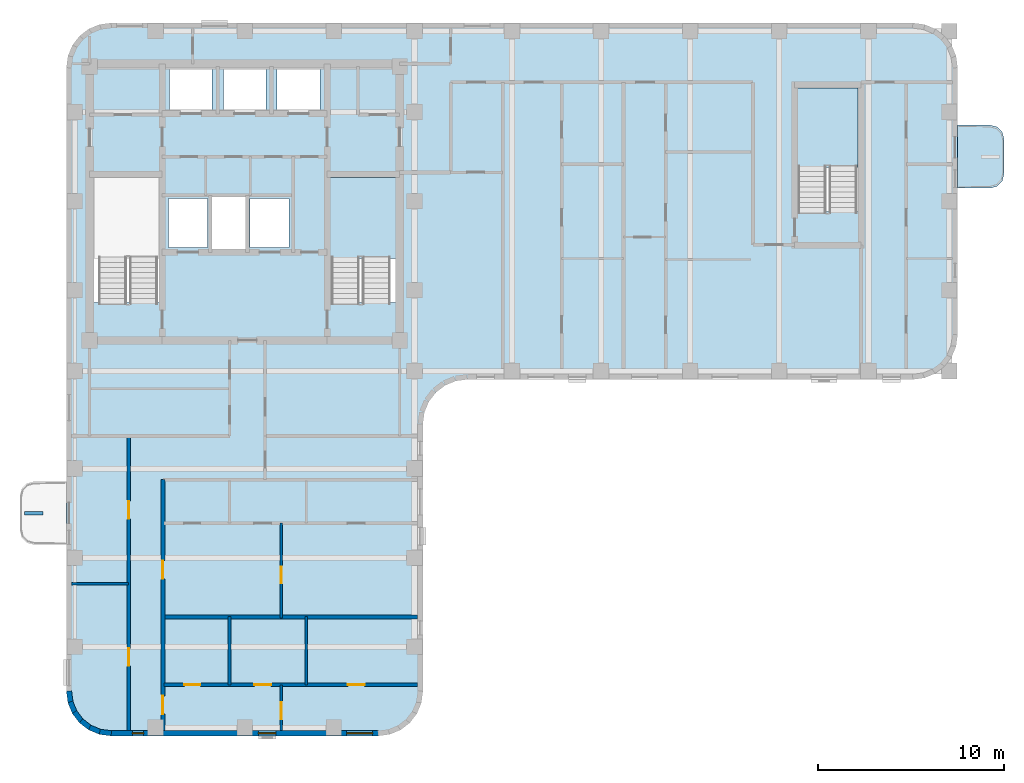
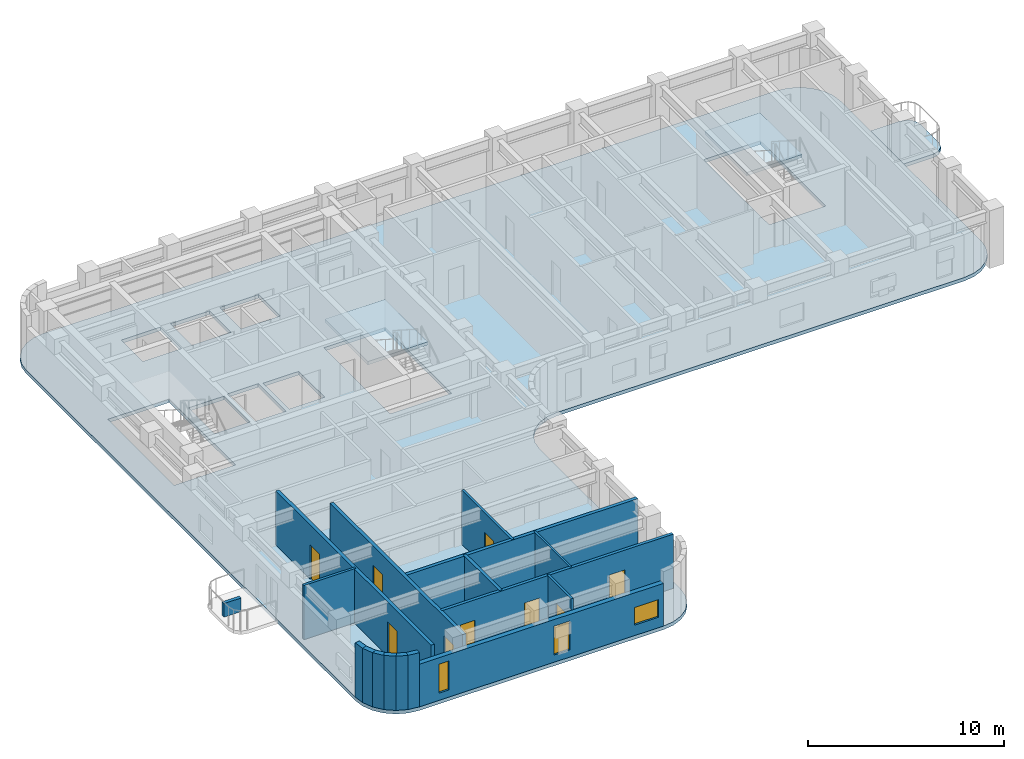
# One storey, part 2 of 10: 17 walls, 9 doors, 4 slabs, 3 windows, 12 openings, 2 elements without a shape of their own.
"""IFC4 building model written with IfcOpenShell, lengths in metres."""

from ifc_helpers import new_model, si_unit, direction, frame, frame_2d, origin, place, context, subcontext, project, spatial, polyline, rectangle, outline, extrude, material, layer, layer_set, type_object, element, fill, aggregate, save


model = new_model("IFC4")

# Units and contexts
model_context = context("Model", 3, precision=1e-05, world=origin(), true_north=direction((0.0, 1.0)))
body_context = subcontext(model_context, "Body", "Model", "MODEL_VIEW")
ifc_project = project(units=[si_unit("LENGTHUNIT", "METRE"), si_unit("AREAUNIT", "SQUARE_METRE"), si_unit("VOLUMEUNIT", "CUBIC_METRE"), si_unit("PLANEANGLEUNIT", "RADIAN"), si_unit("MASSUNIT", "GRAM", prefix="KILO")], contexts=[model_context])

# Site, building, storey
site_placement = place(None, origin())
site = spatial("IfcSite", under=ifc_project, at=site_placement, CompositionType="ELEMENT")
building_placement = place(site_placement, origin())
building = spatial("IfcBuilding", under=site, at=building_placement, Name="Orvandelia Arch Residences", CompositionType="ELEMENT")
storey_placement = place(building_placement, frame((0.0, 0.0, 207.39990234375)))
storey = spatial("IfcBuildingStorey", under=building, at=storey_placement, Name="L54", CompositionType="ELEMENT", Elevation=207.39990234375)

# Slab
ifc_material_1 = material(Name="Precast concrete C40/50", Category="concrete")
ifc_layer_1 = layer(ifc_material_1, 0.219970703125, Name="Precast concrete C40/50", Category="concrete")
ifc_layer_set_1 = layer_set([ifc_layer_1], Name="Precast concrete C40/50")
slab_type_1 = type_object("IfcSlabType", Name="SLB-BAL-220", PredefinedType="USERDEFINED", material=ifc_layer_set_1)
slab_1_placement = place(storey_placement, frame((0.0, 0.0, -0.219970703125)))
element("IfcSlab", 1, at=slab_1_placement, inside=storey, type_object=slab_type_1, Name="Tree Balcony Cantilever Slab BAL-L54-E1", ObjectType="BALCONY", PredefinedType="USERDEFINED", context=body_context, shape_type="SweptSolid", body=[
    extrude(outline(polyline([(52.800048828125, 42.5), (52.800048828125, 39.10009765625), (54.550048828125, 39.10009765625), (54.925048828125, 39.200439453125), (55.199462890625, 39.47509765625), (55.300048828125, 39.85009765625), (55.300048828125, 41.75), (55.199462890625, 42.125), (54.925048828125, 42.3994140625), (54.550048828125, 42.5), (52.800048828125, 42.5)])), origin(), (0.0, 0.0, 1.0), 0.219970703125),
])

# Stair, slab
ifc_material_2 = material(Name="Concrete C40/50", Category="concrete")
stair_type = type_object("IfcStairType", Name="STAIR-RC-DOGLEG", PredefinedType="HALF_TURN_STAIR", material=ifc_material_2)
stair_1_placement = place(storey_placement, origin())
stair_1 = element("IfcStair", 2, at=stair_1_placement, inside=storey, type_object=stair_type, Name="L54 Protected Exit Stair ST-2", PredefinedType="HALF_TURN_STAIR")
ifc_layer_2 = layer(ifc_material_2, 0.219970703125, Name="Concrete C40/50", Category="concrete")
ifc_layer_set_2 = layer_set([ifc_layer_2], Name="Concrete C40/50")
slab_type_2 = type_object("IfcSlabType", Name="SLB-LANDING-220", PredefinedType="LANDING", material=ifc_layer_set_2)
slab_2_placement = place(storey_placement, frame((0.0, 0.0, 1.60009765625)))
slab_2 = element("IfcSlab", 3, at=slab_2_placement, type_object=slab_type_2, Name="ST-2 landing 1", PredefinedType="LANDING", context=body_context, shape_type="SweptSolid", body=[
    extrude(outline(polyline([(22.5400390625, 35.31005859375), (22.5400390625, 39.68994140625), (19.0, 39.68994140625), (19.0, 35.31005859375), (22.5400390625, 35.31005859375)])), origin(), (0.0, 0.0, 1.0), 0.199951171875),
])
aggregate(stair_1, [slab_2])

stair_2_placement = place(storey_placement, origin())
stair_2 = element("IfcStair", 4, at=stair_2_placement, inside=storey, type_object=stair_type, Name="L54 East Wing Exit Stair ST-3", PredefinedType="HALF_TURN_STAIR")
slab_3_placement = place(storey_placement, frame((0.0, 0.0, 1.60009765625)))
slab_3 = element("IfcSlab", 5, at=slab_3_placement, type_object=slab_type_2, Name="ST-3 landing 1", PredefinedType="LANDING", context=body_context, shape_type="SweptSolid", body=[
    extrude(outline(polyline([(47.43994140625, 40.2099609375), (47.43994140625, 44.5), (44.179931640625, 44.5), (44.179931640625, 40.2099609375), (47.43994140625, 40.2099609375)])), origin(), (0.0, 0.0, 1.0), 0.199951171875),
])
aggregate(stair_2, [slab_3])

# Slab
ifc_layer_3 = layer(ifc_material_2, 0.219970703125, Name="Concrete C40/50", Category="concrete")
ifc_layer_set_3 = layer_set([ifc_layer_3], Name="Concrete C40/50")
slab_type_3 = type_object("IfcSlabType", Name="SLB-TWR-220", PredefinedType="FLOOR", material=ifc_layer_set_3)
slab_4_placement = place(storey_placement, frame((0.0, 0.0, -0.219970703125)))
element("IfcSlab", 6, at=slab_4_placement, inside=storey, type_object=slab_type_3, Name="Structural Floor Slab L54-1", PredefinedType="FLOOR", context=body_context, shape_type="SweptSolid", body=[
    extrude(outline(polyline([(4.800048828125, 12.0), (4.8818359375, 11.37890625), (5.12158203125, 10.800048828125), (5.5029296875, 10.302978515625), (6.0, 9.92138671875), (6.578857421875, 9.681884765625), (7.199951171875, 9.60009765625), (21.60009765625, 9.60009765625), (22.22119140625, 9.681884765625), (22.800048828125, 9.92138671875), (23.297119140625, 10.302978515625), (23.678466796875, 10.800048828125), (23.918212890625, 11.37890625), (24.0, 12.0), (24.0, 26.39990234375), (24.081787109375, 27.021240234375), (24.321533203125, 27.60009765625), (24.702880859375, 28.09716796875), (25.199951171875, 28.478515625), (25.77880859375, 28.71826171875), (26.39990234375, 28.800048828125), (50.39990234375, 28.800048828125), (51.021240234375, 28.8818359375), (51.60009765625, 29.12158203125), (52.09716796875, 29.5029296875), (52.478515625, 30.0), (52.71826171875, 30.578857421875), (52.800048828125, 31.199951171875), (52.800048828125, 45.60009765625), (52.71826171875, 46.22119140625), (52.478515625, 46.800048828125), (52.09716796875, 47.297119140625), (51.60009765625, 47.678466796875), (51.021240234375, 47.918212890625), (50.39990234375, 48.0), (7.199951171875, 48.0), (6.578857421875, 47.918212890625), (6.0, 47.678466796875), (5.5029296875, 47.297119140625), (5.12158203125, 46.800048828125), (4.8818359375, 46.22119140625), (4.800048828125, 45.60009765625), (4.800048828125, 12.0)]), holes=[polyline([(6.219970703125, 32.949951171875), (9.840087890625, 32.949951171875), (9.840087890625, 39.72998046875), (6.219970703125, 39.72998046875), (6.219970703125, 32.949951171875)]), polyline([(18.9599609375, 32.949951171875), (22.580078125, 32.949951171875), (22.580078125, 39.72998046875), (18.9599609375, 39.72998046875), (18.9599609375, 32.949951171875)]), polyline([(44.139892578125, 37.85009765625), (47.47998046875, 37.85009765625), (47.47998046875, 44.5400390625), (44.139892578125, 44.5400390625), (44.139892578125, 37.85009765625)]), polyline([(12.639892578125, 35.81005859375), (14.4599609375, 35.81005859375), (14.4599609375, 38.639892578125), (12.639892578125, 38.639892578125), (12.639892578125, 35.81005859375)]), polyline([(10.300048828125, 35.89990234375), (12.39990234375, 35.89990234375), (12.39990234375, 38.550048828125), (10.300048828125, 38.550048828125), (10.300048828125, 35.89990234375)]), polyline([(14.699951171875, 35.89990234375), (16.800048828125, 35.89990234375), (16.800048828125, 38.550048828125), (14.699951171875, 38.550048828125), (14.699951171875, 35.89990234375)]), polyline([(10.35009765625, 43.300048828125), (12.64990234375, 43.300048828125), (12.64990234375, 45.5), (10.35009765625, 45.5), (10.35009765625, 43.300048828125)]), polyline([(13.25, 43.300048828125), (15.550048828125, 43.300048828125), (15.550048828125, 45.5), (13.25, 45.5), (13.25, 43.300048828125)]), polyline([(16.14990234375, 43.300048828125), (18.449951171875, 43.300048828125), (18.449951171875, 45.5), (16.14990234375, 45.5), (16.14990234375, 43.300048828125)])]), origin(), (0.0, 0.0, 1.0), 0.219970703125),
])

# Wall, openings, doors
ifc_material_3 = material(Name="Fire-Rated Corridor Partition")
ifc_layer_4 = layer(ifc_material_3, 0.199951171875, Name="Fire-Rated Corridor Partition")
ifc_layer_set_4 = layer_set([ifc_layer_4], Name="Fire-Rated Corridor Partition")
wall_type_1 = type_object("IfcWallType", Name="WL-CORR-200", PredefinedType="PARTITIONING", material=ifc_layer_set_4)
wall_1_placement = place(storey_placement, frame((8.14990234375, 9.8798828125, 0.0), z_axis=(0.0, 0.0, 1.0), x_axis=(0.0, 1.0, 0.0)))
wall_1 = element("IfcWall", 7, at=wall_1_placement, inside=storey, type_object=wall_type_1, Name="Interior Partition Wall WL-L54-WC-W", PredefinedType="PARTITIONING", context=body_context, shape_type="SweptSolid", body=[
    extrude(rectangle(XDim=15.8701171875, YDim=0.199951171875, at=frame_2d((7.93505859375, 0.0))), origin(), (0.0, 0.0, 1.0), 3.380126953125),
])
opening_1_placement = place(wall_1_placement, frame((3.489990234375, 0.0, 0.0)))
opening_1 = element("IfcOpeningElement", 8, at=opening_1_placement, cuts=wall_1, Name="Opening D2", PredefinedType="OPENING", context=body_context, shape_type="SweptSolid", body=[
    extrude(rectangle(XDim=0.949951171875, YDim=2.14990234375, at=frame_2d((0.47509765625, 1.074951171875))), frame((0.0, 0.10986328125, 0.0), z_axis=(0.0, -1.0, 0.0), x_axis=(1.0, 0.0, 0.0)), (0.0, 0.0, 1.0), 0.219970703125),
])
opening_2_placement = place(wall_1_placement, frame((11.409912109375, 0.0, 0.0)))
opening_2 = element("IfcOpeningElement", 9, at=opening_2_placement, cuts=wall_1, Name="Opening D2", PredefinedType="OPENING", context=body_context, shape_type="SweptSolid", body=[
    extrude(rectangle(XDim=0.949951171875, YDim=2.14990234375, at=frame_2d((0.47509765625, 1.074951171875))), frame((0.0, 0.10986328125, 0.0), z_axis=(0.0, -1.0, 0.0), x_axis=(1.0, 0.0, 0.0)), (0.0, 0.0, 1.0), 0.219970703125),
])
ifc_material_4 = material(Name="Solid-Core Timber Interior Fire Door", Category="wood")
door_type_1 = type_object("IfcDoorType", Name="DR-APT-950", OperationType="NOTDEFINED", PredefinedType="DOOR", material=ifc_material_4)
door_1_placement = place(opening_1_placement, origin())
door_1 = element("IfcDoor", 10, at=door_1_placement, inside=storey, type_object=door_type_1, Name="DR-L54-WGRM-1", OperationType="SINGLE_SWING_LEFT", OverallHeight=2.14990234375, OverallWidth=0.949951171875, PredefinedType="DOOR", context=body_context, shape_type="SweptSolid", body=[
    extrude(rectangle(XDim=0.949951171875, YDim=2.14990234375, at=frame_2d((0.47509765625, 1.074951171875))), frame((0.0, 0.02490234375, 0.0), z_axis=(0.0, -1.0, 0.0), x_axis=(1.0, 0.0, 0.0)), (0.0, 0.0, 1.0), 0.050048828125),
])
fill(opening_1, door_1)
door_2_placement = place(opening_2_placement, origin())
door_2 = element("IfcDoor", 11, at=door_2_placement, inside=storey, type_object=door_type_1, Name="DR-L54-WGRM-2", OperationType="SINGLE_SWING_RIGHT", OverallHeight=2.14990234375, OverallWidth=0.949951171875, PredefinedType="DOOR", context=body_context, shape_type="SweptSolid", body=[
    extrude(rectangle(XDim=0.949951171875, YDim=2.14990234375, at=frame_2d((0.47509765625, 1.074951171875))), frame((0.0, 0.02490234375, 0.0), z_axis=(0.0, -1.0, 0.0), x_axis=(1.0, 0.0, 0.0)), (0.0, 0.0, 1.0), 0.050048828125),
])
fill(opening_2, door_2)

wall_2_placement = place(storey_placement, frame((10.0, 9.8798828125, 0.0), z_axis=(0.0, 0.0, 1.0), x_axis=(0.0, 1.0, 0.0)))
wall_2 = element("IfcWall", 12, at=wall_2_placement, inside=storey, type_object=wall_type_1, Name="Interior Partition Wall WL-L54-WC-E", PredefinedType="PARTITIONING", context=body_context, shape_type="SweptSolid", body=[
    extrude(rectangle(XDim=13.52001953125, YDim=0.199951171875, at=frame_2d((6.760009765625, 0.0))), origin(), (0.0, 0.0, 1.0), 3.380126953125),
])
opening_3_placement = place(wall_2_placement, frame((0.89404296875, 0.0, 0.0)))
opening_3 = element("IfcOpeningElement", 13, at=opening_3_placement, cuts=wall_2, Name="Opening D1", PredefinedType="OPENING", context=body_context, shape_type="SweptSolid", body=[
    extrude(rectangle(XDim=0.97998046875, YDim=2.179931640625, at=frame_2d((0.489990234375, 1.08984375))), frame((0.0, 0.10986328125, 0.0), z_axis=(0.0, -1.0, 0.0), x_axis=(1.0, 0.0, 0.0)), (0.0, 0.0, 1.0), 0.219970703125),
])
opening_4_placement = place(wall_2_placement, frame((8.179931640625, 0.0, 0.0)))
opening_4 = element("IfcOpeningElement", 14, at=opening_4_placement, cuts=wall_2, Name="Opening D1", PredefinedType="OPENING", context=body_context, shape_type="SweptSolid", body=[
    extrude(rectangle(XDim=0.97998046875, YDim=2.179931640625, at=frame_2d((0.489990234375, 1.08984375))), frame((0.0, 0.10986328125, 0.0), z_axis=(0.0, -1.0, 0.0), x_axis=(1.0, 0.0, 0.0)), (0.0, 0.0, 1.0), 0.219970703125),
])
ifc_material_5 = material(Name="Solid-Core Timber Acoustic Fire Door", Category="wood")
door_type_2 = type_object("IfcDoorType", Name="DR-ENT-980", OperationType="NOTDEFINED", PredefinedType="DOOR", material=ifc_material_5)
door_3_placement = place(opening_3_placement, origin())
door_3 = element("IfcDoor", 15, at=door_3_placement, inside=storey, type_object=door_type_2, Name="Unit L54-01 Entrance Door", OperationType="SINGLE_SWING_LEFT", OverallHeight=2.179931640625, OverallWidth=0.97998046875, PredefinedType="DOOR", context=body_context, shape_type="SweptSolid", body=[
    extrude(rectangle(XDim=0.97998046875, YDim=2.179931640625, at=frame_2d((0.489990234375, 1.08984375))), frame((0.0, 0.02490234375, 0.0), z_axis=(0.0, -1.0, 0.0), x_axis=(1.0, 0.0, 0.0)), (0.0, 0.0, 1.0), 0.050048828125),
])
fill(opening_3, door_3)
door_4_placement = place(opening_4_placement, origin())
door_4 = element("IfcDoor", 16, at=door_4_placement, inside=storey, type_object=door_type_2, Name="Unit L54-02 Entrance Door", OperationType="SINGLE_SWING_RIGHT", OverallHeight=2.179931640625, OverallWidth=0.97998046875, PredefinedType="DOOR", context=body_context, shape_type="SweptSolid", body=[
    extrude(rectangle(XDim=0.97998046875, YDim=2.179931640625, at=frame_2d((0.489990234375, 1.08984375))), frame((0.0, 0.02490234375, 0.0), z_axis=(0.0, -1.0, 0.0), x_axis=(1.0, 0.0, 0.0)), (0.0, 0.0, 1.0), 0.050048828125),
])
fill(opening_4, door_4)

# Wall
ifc_layer_5 = layer(ifc_material_2, 0.199951171875, Name="Concrete C40/50", Category="concrete")
ifc_layer_set_5 = layer_set([ifc_layer_5], Name="Concrete C40/50")
wall_type_2 = type_object("IfcWallType", Name="WL-DEM-200", PredefinedType="SOLIDWALL", material=ifc_layer_set_5)
wall_3_placement = place(storey_placement, frame((10.0, 16.0, 0.0), z_axis=(0.0, 0.0, 1.0), x_axis=(1.0, 0.0, 0.0)))
element("IfcWall", 17, at=wall_3_placement, inside=storey, type_object=wall_type_2, Name="Interior Partition Wall WL-L54-DEM-WR-160", PredefinedType="SOLIDWALL", context=body_context, shape_type="SweptSolid", body=[
    extrude(rectangle(XDim=13.719970703125, YDim=0.199951171875, at=frame_2d((6.85986328125, 0.0))), origin(), (0.0, 0.0, 1.0), 3.380126953125),
])

# Wall, openings, windows
ifc_layer_6 = layer(ifc_material_1, 0.280029296875, Name="Precast concrete C40/50", Category="concrete")
ifc_layer_set_6 = layer_set([ifc_layer_6], Name="Precast concrete C40/50")
wall_type_3 = type_object("IfcWallType", Name="WL-EXT-STONE-280", PredefinedType="STANDARD", material=ifc_layer_set_6)
wall_4_placement = place(storey_placement, frame((21.60009765625, 9.739990234375, 0.0), z_axis=(0.0, 0.0, 1.0), x_axis=(-1.0, 0.0, 0.0)))
wall_4 = element("IfcWall", 18, at=wall_4_placement, inside=storey, type_object=wall_type_3, Name="Coral-Limestone Precast Facade Wall L54-035", PredefinedType="STANDARD", context=body_context, shape_type="SweptSolid", body=[
    extrude(rectangle(XDim=14.400146484375, YDim=0.280029296875, at=frame_2d((7.2001953125, 0.0))), origin(), (0.0, 0.0, 1.0), 2.66015625),
])
opening_5_placement = place(wall_4_placement, frame((12.6474609375, 0.0, 0.449951171875)))
opening_5 = element("IfcOpeningElement", 19, at=opening_5_placement, cuts=wall_4, Name="Opening W12", PredefinedType="OPENING", context=body_context, shape_type="SweptSolid", body=[
    extrude(rectangle(XDim=0.60009765625, YDim=1.800048828125, at=frame_2d((0.300048828125, 0.89990234375))), frame((0.0, 0.14990234375, 0.0), z_axis=(0.0, -1.0, 0.0), x_axis=(1.0, 0.0, 0.0)), (0.0, 0.0, 1.0), 0.300048828125),
])
opening_6_placement = place(wall_4_placement, frame((5.512939453125, 0.0, 0.449951171875)))
opening_6 = element("IfcOpeningElement", 20, at=opening_6_placement, cuts=wall_4, Name="Opening W4", PredefinedType="OPENING", context=body_context, shape_type="SweptSolid", body=[
    extrude(rectangle(XDim=0.949951171875, YDim=1.800048828125, at=frame_2d((0.47509765625, 0.89990234375))), frame((0.0, 0.14990234375, 0.0), z_axis=(0.0, -1.0, 0.0), x_axis=(1.0, 0.0, 0.0)), (0.0, 0.0, 1.0), 0.300048828125),
])
opening_7_placement = place(wall_4_placement, frame((0.3076171875, 0.0, 0.64990234375)))
opening_7 = element("IfcOpeningElement", 21, at=opening_7_placement, cuts=wall_4, Name="Opening W10", PredefinedType="OPENING", context=body_context, shape_type="SweptSolid", body=[
    extrude(rectangle(XDim=1.39990234375, YDim=1.10009765625, at=frame_2d((0.699951171875, 0.550048828125))), frame((0.0, 0.14990234375, 0.0), z_axis=(0.0, -1.0, 0.0), x_axis=(1.0, 0.0, 0.0)), (0.0, 0.0, 1.0), 0.300048828125),
])
ifc_material_6 = material(Name="Tempered Low-E Insulated Glazing", Category="glass")
window_type_1 = type_object("IfcWindowType", Name="WIN-CLR-1400x1100", PartitioningType="SINGLE_PANEL", PredefinedType="WINDOW", material=ifc_material_6)
window_1_placement = place(opening_7_placement, origin())
window_1 = element("IfcWindow", 22, at=window_1_placement, inside=storey, type_object=window_type_1, Name="Recessed Punched Window L54-019", OverallHeight=1.10009765625, OverallWidth=1.39990234375, PartitioningType="SINGLE_PANEL", PredefinedType="WINDOW", context=body_context, shape_type="SweptSolid", body=[
    extrude(rectangle(XDim=1.39990234375, YDim=1.10009765625, at=frame_2d((0.699951171875, 0.550048828125))), frame((0.0, 0.030029296875, 0.0), z_axis=(0.0, -1.0, 0.0), x_axis=(1.0, 0.0, 0.0)), (0.0, 0.0, 1.0), 0.06005859375),
])
fill(opening_7, window_1)
window_type_2 = type_object("IfcWindowType", Name="WIN-LAN-0600x1800", PartitioningType="SINGLE_PANEL", PredefinedType="WINDOW", material=ifc_material_6)
window_2_placement = place(opening_5_placement, origin())
window_2 = element("IfcWindow", 23, at=window_2_placement, inside=storey, type_object=window_type_2, Name="Recessed Punched Window L54-017", OverallHeight=1.800048828125, OverallWidth=0.60009765625, PartitioningType="SINGLE_PANEL", PredefinedType="WINDOW", context=body_context, shape_type="SweptSolid", body=[
    extrude(rectangle(XDim=0.60009765625, YDim=1.800048828125, at=frame_2d((0.300048828125, 0.89990234375))), frame((0.0, 0.030029296875, 0.0), z_axis=(0.0, -1.0, 0.0), x_axis=(1.0, 0.0, 0.0)), (0.0, 0.0, 1.0), 0.06005859375),
])
fill(opening_5, window_2)
window_type_3 = type_object("IfcWindowType", Name="WIN-RES-0950x1800", PartitioningType="SINGLE_PANEL", PredefinedType="WINDOW", material=ifc_material_6)
window_3_placement = place(opening_6_placement, origin())
window_3 = element("IfcWindow", 24, at=window_3_placement, inside=storey, type_object=window_type_3, Name="Recessed Punched Window L54-018", OverallHeight=1.800048828125, OverallWidth=0.949951171875, PartitioningType="SINGLE_PANEL", PredefinedType="WINDOW", context=body_context, shape_type="SweptSolid", body=[
    extrude(rectangle(XDim=0.949951171875, YDim=1.800048828125, at=frame_2d((0.47509765625, 0.89990234375))), frame((0.0, 0.030029296875, 0.0), z_axis=(0.0, -1.0, 0.0), x_axis=(1.0, 0.0, 0.0)), (0.0, 0.0, 1.0), 0.06005859375),
])
fill(opening_6, window_3)

# Walls
wall_5_placement = place(storey_placement, frame((7.21826171875, 9.73876953125, 0.0), z_axis=(0.0, 0.0, 1.0), x_axis=(-0.9914410257, 0.130555323746, 0.0)))
element("IfcWall", 25, at=wall_5_placement, inside=storey, type_object=wall_type_3, Name="Coral-Limestone Precast Facade Wall L54-036", PredefinedType="STANDARD", context=body_context, shape_type="SweptSolid", body=[
    extrude(rectangle(XDim=0.62646484375, YDim=0.280029296875, at=frame_2d((0.313232421875, 0.0))), origin(), (0.0, 0.0, 1.0), 3.380126953125),
])
wall_6_placement = place(storey_placement, frame((6.63232421875, 9.81103515625, 0.0), z_axis=(0.0, 0.0, 1.0), x_axis=(-0.923836271867, 0.382787856107, 0.0)))
element("IfcWall", 26, at=wall_6_placement, inside=storey, type_object=wall_type_3, Name="Coral-Limestone Precast Facade Wall L54-037", PredefinedType="STANDARD", context=body_context, shape_type="SweptSolid", body=[
    extrude(rectangle(XDim=0.626220703125, YDim=0.280029296875, at=frame_2d((0.31298828125, 0.0))), origin(), (0.0, 0.0, 1.0), 3.380126953125),
])
for number, where, z_axis, x_axis, name in (
    (27, (6.085205078125, 10.03271484375, 0.0), (0.0, 0.0, 1.0), (-0.793405610854, 0.608693302629, 0.0), "Coral-Limestone Precast Facade Wall L54-038"),
    (28, (5.614013671875, 10.38818359375, 0.0), (0.0, 0.0, 1.0), (-0.608693302629, 0.793405610854, 0.0), "Coral-Limestone Precast Facade Wall L54-039"),
    (29, (5.250732421875, 10.853515625, 0.0), (0.0, 0.0, 1.0), (-0.382650053678, 0.92389335771, 0.0), "Coral-Limestone Precast Facade Wall L54-040"),
    (30, (5.0205078125, 11.397216796875, 0.0), (0.0, 0.0, 1.0), (-0.130555323746, 0.9914410257, 0.0), "Coral-Limestone Precast Facade Wall L54-041"),
):
    element("IfcWall", number, at=place(storey_placement, frame(where, z_axis=z_axis, x_axis=x_axis)), inside=storey, type_object=wall_type_3, Name=name, PredefinedType="STANDARD", context=body_context, shape_type="SweptSolid", body=[
        extrude(rectangle(XDim=0.62646484375, YDim=0.280029296875, at=frame_2d((0.313232421875, 0.0))), origin(), (0.0, 0.0, 1.0), 3.380126953125),
    ])
ifc_material_7 = material(Name="Lightweight Gypsum Stud Partition")
ifc_layer_7 = layer(ifc_material_7, 0.1201171875, Name="Lightweight Gypsum Stud Partition")
ifc_layer_set_7 = layer_set([ifc_layer_7], Name="Lightweight Gypsum Stud Partition")
wall_type_4 = type_object("IfcWallType", Name="WL-PART-120", PredefinedType="PARTITIONING", material=ifc_layer_set_7)
wall_7_placement = place(storey_placement, frame((17.720947265625, 12.347900390625, 0.0), z_axis=(0.0, 0.0, 1.0), x_axis=(0.0, 1.0, 0.0)))
element("IfcWall", 31, at=wall_7_placement, inside=storey, type_object=wall_type_4, Name="Interior Partition Wall WL-L54-U01-V2", PredefinedType="PARTITIONING", context=body_context, shape_type="SweptSolid", body=[
    extrude(rectangle(XDim=3.692138671875, YDim=0.1201171875, at=frame_2d((1.84619140625, 0.0))), origin(), (0.0, 0.0, 1.0), 3.380126953125),
])

# Wall, opening, door
ifc_material_8 = material(Name="Double-Layer Acoustic Gypsum Partition")
ifc_layer_8 = layer(ifc_material_8, 0.135009765625, Name="Double-Layer Acoustic Gypsum Partition")
ifc_layer_set_8 = layer_set([ifc_layer_8], Name="Double-Layer Acoustic Gypsum Partition")
wall_type_5 = type_object("IfcWallType", Name="WL-PART-135", PredefinedType="PARTITIONING", material=ifc_layer_set_8)
wall_8_placement = place(storey_placement, frame((16.37890625, 9.8798828125, 0.0), z_axis=(0.0, 0.0, 1.0), x_axis=(0.0, 1.0, 0.0)))
wall_8 = element("IfcWall", 32, at=wall_8_placement, inside=storey, type_object=wall_type_5, Name="Interior Partition Wall WL-L54-U01-DIN", PredefinedType="PARTITIONING", context=body_context, shape_type="SweptSolid", body=[
    extrude(rectangle(XDim=2.468017578125, YDim=0.135009765625, at=frame_2d((1.23388671875, 0.0))), origin(), (0.0, 0.0, 1.0), 3.380126953125),
])
opening_8_placement = place(wall_8_placement, frame((0.62548828125, 0.0, 0.0)))
opening_8 = element("IfcOpeningElement", 33, at=opening_8_placement, cuts=wall_8, Name="Opening D3", PredefinedType="OPENING", context=body_context, shape_type="SweptSolid", body=[
    extrude(rectangle(XDim=0.89990234375, YDim=2.14990234375, at=frame_2d((0.449951171875, 1.074951171875))), frame((0.0, 0.07763671875, 0.0), z_axis=(0.0, -1.0, 0.0), x_axis=(1.0, 0.0, 0.0)), (0.0, 0.0, 1.0), 0.155029296875),
])
ifc_material_9 = material(Name="Engineered Timber Flush Door", Category="wood")
door_type_3 = type_object("IfcDoorType", Name="DR-INT-900", OperationType="NOTDEFINED", PredefinedType="DOOR", material=ifc_material_9)
door_5_placement = place(opening_8_placement, origin())
door_5 = element("IfcDoor", 34, at=door_5_placement, inside=storey, type_object=door_type_3, Name="DR-L54-U01-DIN", OperationType="SINGLE_SWING_RIGHT", OverallHeight=2.14990234375, OverallWidth=0.89990234375, PredefinedType="DOOR", context=body_context, shape_type="SweptSolid", body=[
    extrude(rectangle(XDim=0.89990234375, YDim=2.14990234375, at=frame_2d((0.449951171875, 1.074951171875))), frame((0.0, 0.02490234375, 0.0), z_axis=(0.0, -1.0, 0.0), x_axis=(1.0, 0.0, 0.0)), (0.0, 0.0, 1.0), 0.050048828125),
])
fill(opening_8, door_5)

wall_9_placement = place(storey_placement, frame((16.37890625, 15.9599609375, 0.0), z_axis=(0.0, 0.0, 1.0), x_axis=(0.0, 1.0, 0.0)))
wall_9 = element("IfcWall", 35, at=wall_9_placement, inside=storey, type_object=wall_type_5, Name="Interior Partition Wall WL-L54-U02-DIN", PredefinedType="PARTITIONING", context=body_context, shape_type="SweptSolid", body=[
    extrude(rectangle(XDim=5.10009765625, YDim=0.135009765625, at=frame_2d((2.550048828125, 0.0))), origin(), (0.0, 0.0, 1.0), 3.380126953125),
])
opening_9_placement = place(wall_9_placement, frame((1.85400390625, 0.0, 0.0)))
opening_9 = element("IfcOpeningElement", 36, at=opening_9_placement, cuts=wall_9, Name="Opening D3", PredefinedType="OPENING", context=body_context, shape_type="SweptSolid", body=[
    extrude(rectangle(XDim=0.89990234375, YDim=2.14990234375, at=frame_2d((0.449951171875, 1.074951171875))), frame((0.0, 0.07763671875, 0.0), z_axis=(0.0, -1.0, 0.0), x_axis=(1.0, 0.0, 0.0)), (0.0, 0.0, 1.0), 0.155029296875),
])
door_6_placement = place(opening_9_placement, origin())
door_6 = element("IfcDoor", 37, at=door_6_placement, inside=storey, type_object=door_type_3, Name="DR-L54-U02-DIN", OperationType="SINGLE_SWING_LEFT", OverallHeight=2.14990234375, OverallWidth=0.89990234375, PredefinedType="DOOR", context=body_context, shape_type="SweptSolid", body=[
    extrude(rectangle(XDim=0.89990234375, YDim=2.14990234375, at=frame_2d((0.449951171875, 1.074951171875))), frame((0.0, 0.02490234375, 0.0), z_axis=(0.0, -1.0, 0.0), x_axis=(1.0, 0.0, 0.0)), (0.0, 0.0, 1.0), 0.050048828125),
])
fill(opening_9, door_6)

# Walls
ifc_material_10 = material(Name="Acoustic Gypsum Stud Partition")
ifc_layer_9 = layer(ifc_material_10, 0.14990234375, Name="Acoustic Gypsum Stud Partition")
ifc_layer_set_9 = layer_set([ifc_layer_9], Name="Acoustic Gypsum Stud Partition")
wall_type_6 = type_object("IfcWallType", Name="WL-PART-150", PredefinedType="PARTITIONING", material=ifc_layer_set_9)
wall_10_placement = place(storey_placement, frame((5.080078125, 17.800048828125, 0.0), z_axis=(0.0, 0.0, 1.0), x_axis=(1.0, 0.0, 0.0)))
element("IfcWall", 38, at=wall_10_placement, inside=storey, type_object=wall_type_6, Name="Interior Partition Wall WL-L54-WGDIV-1", PredefinedType="PARTITIONING", context=body_context, shape_type="SweptSolid", body=[
    extrude(rectangle(XDim=3.06982421875, YDim=0.14990234375, at=frame_2d((1.534912109375, 0.0))), origin(), (0.0, 0.0, 1.0), 3.380126953125),
])
ifc_layer_10 = layer(ifc_material_1, 0.199951171875, Name="Precast concrete C40/50", Category="concrete")
ifc_layer_set_10 = layer_set([ifc_layer_10], Name="Precast concrete C40/50")
wall_type_7 = type_object("IfcWallType", Name="WL-PLANTER-200", PredefinedType="MOVABLE", material=ifc_layer_set_10)
wall_11_placement = place(storey_placement, frame((2.550048828125, 21.60009765625, 0.0), z_axis=(0.0, 0.0, 1.0), x_axis=(1.0, 0.0, 0.0)))
element("IfcWall", 39, at=wall_11_placement, inside=storey, type_object=wall_type_7, Name="Balcony Precast Tree Planter BAL-L54-W1", PredefinedType="MOVABLE", context=body_context, shape_type="SweptSolid", body=[
    extrude(rectangle(XDim=1.0, YDim=0.199951171875, at=frame_2d((0.5, 0.0))), origin(), (0.0, 0.0, 1.0), 0.85009765625),
])

# Wall, openings, doors
ifc_material_11 = material(Name="Moisture-Resistant Plumbing Wall")
ifc_layer_11 = layer(ifc_material_11, 0.179931640625, Name="Moisture-Resistant Plumbing Wall")
ifc_layer_set_11 = layer_set([ifc_layer_11], Name="Moisture-Resistant Plumbing Wall")
wall_type_8 = type_object("IfcWallType", Name="WL-WET-180", PredefinedType="PLUMBINGWALL", material=ifc_layer_set_11)
wall_12_placement = place(storey_placement, frame((10.06005859375, 12.347900390625, 0.0), z_axis=(0.0, 0.0, 1.0), x_axis=(1.0, 0.0, 0.0)))
wall_12 = element("IfcWall", 40, at=wall_12_placement, inside=storey, type_object=wall_type_8, Name="Interior Partition Wall WL-L54-U01-HZ", PredefinedType="PLUMBINGWALL", context=body_context, shape_type="SweptSolid", body=[
    extrude(rectangle(XDim=13.659912109375, YDim=0.179931640625, at=frame_2d((6.830078125, 0.0))), origin(), (0.0, 0.0, 1.0), 3.380126953125),
])
opening_10_placement = place(wall_12_placement, frame((1.0908203125, 0.0, 0.0)))
opening_10 = element("IfcOpeningElement", 41, at=opening_10_placement, cuts=wall_12, Name="Opening D4", PredefinedType="OPENING", context=body_context, shape_type="SweptSolid", body=[
    extrude(rectangle(XDim=0.860107421875, YDim=2.10009765625, at=frame_2d((0.43017578125, 1.050048828125))), frame((0.0, 0.10009765625, 0.0), z_axis=(0.0, -1.0, 0.0), x_axis=(1.0, 0.0, 0.0)), (0.0, 0.0, 1.0), 0.199951171875),
])
opening_11_placement = place(wall_12_placement, frame((4.8681640625, 0.0, 0.0)))
opening_11 = element("IfcOpeningElement", 42, at=opening_11_placement, cuts=wall_12, Name="Opening D3", PredefinedType="OPENING", context=body_context, shape_type="SweptSolid", body=[
    extrude(rectangle(XDim=0.89990234375, YDim=2.14990234375, at=frame_2d((0.449951171875, 1.074951171875))), frame((0.0, 0.10009765625, 0.0), z_axis=(0.0, -1.0, 0.0), x_axis=(1.0, 0.0, 0.0)), (0.0, 0.0, 1.0), 0.199951171875),
])
opening_12_placement = place(wall_12_placement, frame((9.897216796875, 0.0, 0.0)))
opening_12 = element("IfcOpeningElement", 43, at=opening_12_placement, cuts=wall_12, Name="Opening D3", PredefinedType="OPENING", context=body_context, shape_type="SweptSolid", body=[
    extrude(rectangle(XDim=0.89990234375, YDim=2.14990234375, at=frame_2d((0.449951171875, 1.074951171875))), frame((0.0, 0.10009765625, 0.0), z_axis=(0.0, -1.0, 0.0), x_axis=(1.0, 0.0, 0.0)), (0.0, 0.0, 1.0), 0.199951171875),
])
door_7_placement = place(opening_11_placement, origin())
door_7 = element("IfcDoor", 44, at=door_7_placement, inside=storey, type_object=door_type_3, Name="DR-L54-U01-KIT", OperationType="SINGLE_SWING_LEFT", OverallHeight=2.14990234375, OverallWidth=0.89990234375, PredefinedType="DOOR", context=body_context, shape_type="SweptSolid", body=[
    extrude(rectangle(XDim=0.89990234375, YDim=2.14990234375, at=frame_2d((0.449951171875, 1.074951171875))), frame((0.0, 0.02490234375, 0.0), z_axis=(0.0, -1.0, 0.0), x_axis=(1.0, 0.0, 0.0)), (0.0, 0.0, 1.0), 0.050048828125),
])
fill(opening_11, door_7)
door_8_placement = place(opening_12_placement, origin())
door_8 = element("IfcDoor", 45, at=door_8_placement, inside=storey, type_object=door_type_3, Name="DR-L54-U01-BD1", OperationType="SINGLE_SWING_RIGHT", OverallHeight=2.14990234375, OverallWidth=0.89990234375, PredefinedType="DOOR", context=body_context, shape_type="SweptSolid", body=[
    extrude(rectangle(XDim=0.89990234375, YDim=2.14990234375, at=frame_2d((0.449951171875, 1.074951171875))), frame((0.0, 0.02490234375, 0.0), z_axis=(0.0, -1.0, 0.0), x_axis=(1.0, 0.0, 0.0)), (0.0, 0.0, 1.0), 0.050048828125),
])
fill(opening_12, door_8)
ifc_material_12 = material(Name="Moisture-Sealed Timber Bathroom Door", Category="wood")
door_type_4 = type_object("IfcDoorType", Name="DR-WET-900", OperationType="NOTDEFINED", PredefinedType="DOOR", material=ifc_material_12)
door_9_placement = place(opening_10_placement, origin())
door_9 = element("IfcDoor", 46, at=door_9_placement, inside=storey, type_object=door_type_4, Name="DR-L54-U01-BTH", OperationType="SINGLE_SWING_RIGHT", OverallHeight=2.10009765625, OverallWidth=0.860107421875, PredefinedType="DOOR", context=body_context, shape_type="SweptSolid", body=[
    extrude(rectangle(XDim=0.860107421875, YDim=2.10009765625, at=frame_2d((0.43017578125, 1.050048828125))), frame((0.0, 0.02490234375, 0.0), z_axis=(0.0, -1.0, 0.0), x_axis=(1.0, 0.0, 0.0)), (0.0, 0.0, 1.0), 0.050048828125),
])
fill(opening_10, door_9)

# Wall
wall_13_placement = place(storey_placement, frame((13.583984375, 12.347900390625, 0.0), z_axis=(0.0, 0.0, 1.0), x_axis=(0.0, 1.0, 0.0)))
element("IfcWall", 47, at=wall_13_placement, inside=storey, type_object=wall_type_8, Name="Interior Partition Wall WL-L54-U01-V1", PredefinedType="PLUMBINGWALL", context=body_context, shape_type="SweptSolid", body=[
    extrude(rectangle(XDim=3.692138671875, YDim=0.179931640625, at=frame_2d((1.84619140625, 0.0))), origin(), (0.0, 0.0, 1.0), 3.380126953125),
])

save(model, "model.ifc")
